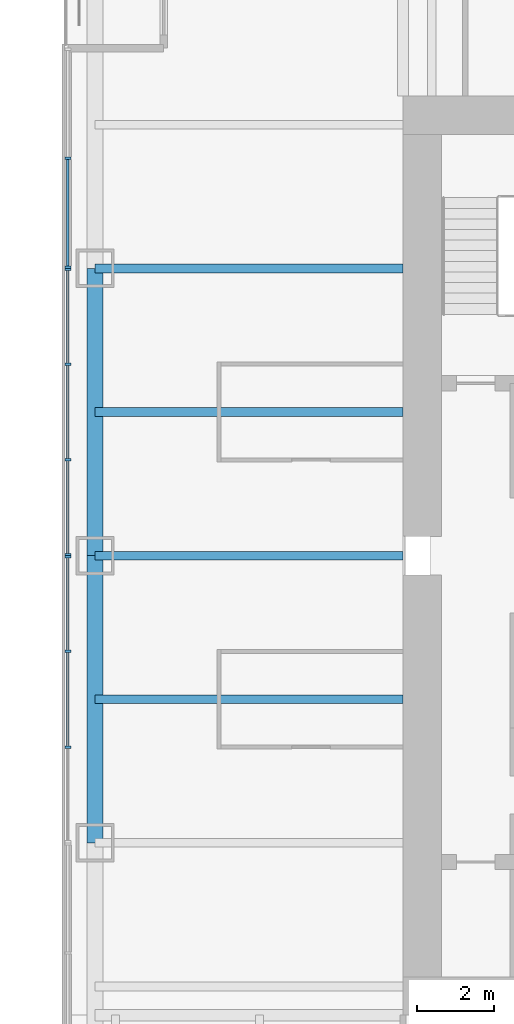
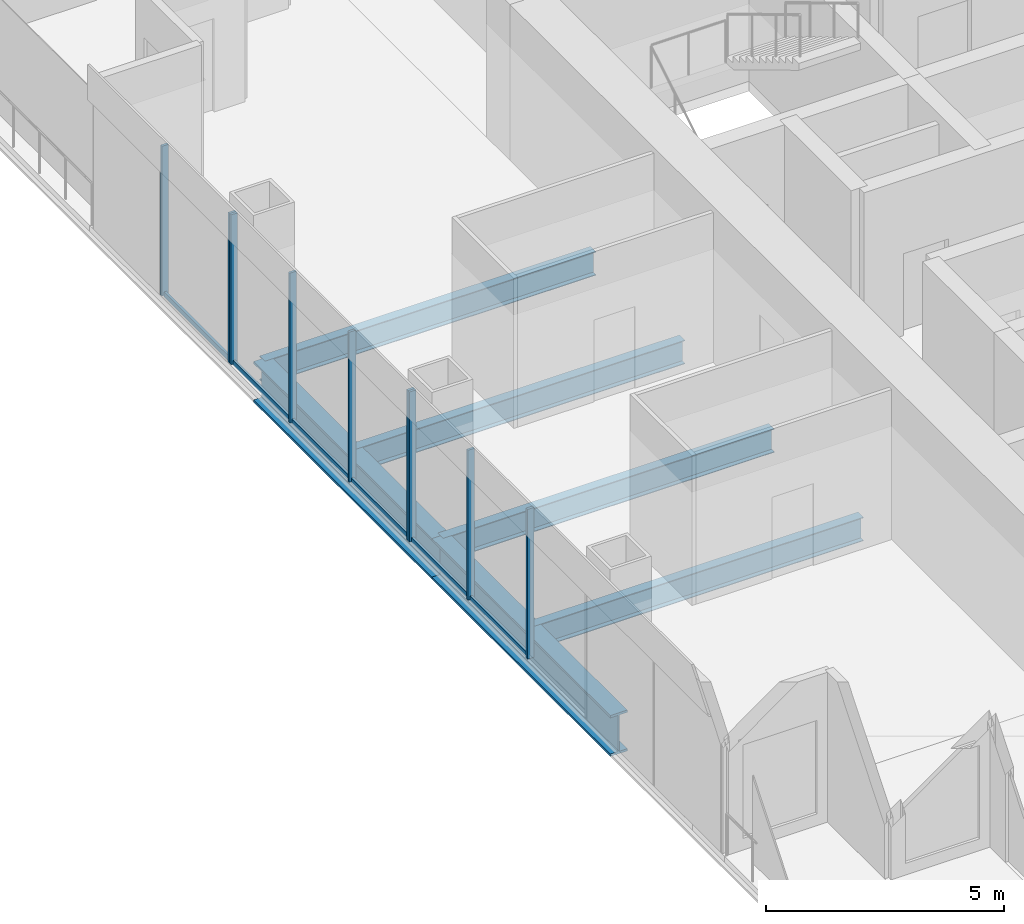
# One storey, part 4 of 14: 15 members, 6 beams, 3 elements without a shape of their own.
"""IFC4 building model written with IfcOpenShell, lengths in metres."""

from ifc_helpers import new_model, si_unit, direction, frame, origin, origin_2d, place, context, subcontext, project, spatial, rectangle, i_section, extrude, material, material_profile, profile_set, type_object, element, aggregate, save


model = new_model("IFC4")

# Units and contexts
model_context = context("Model", 3, precision=1e-05, world=origin(), true_north=direction((0.0, 1.0)))
body_context = subcontext(model_context, "Body", "Model", "MODEL_VIEW")
ifc_project = project(units=[si_unit("LENGTHUNIT", "METRE"), si_unit("AREAUNIT", "SQUARE_METRE"), si_unit("VOLUMEUNIT", "CUBIC_METRE"), si_unit("PLANEANGLEUNIT", "RADIAN"), si_unit("MASSUNIT", "GRAM", prefix="KILO")], contexts=[model_context])

# Site, building, storey
site_placement = place(None, origin())
site = spatial("IfcSite", under=ifc_project, at=site_placement, CompositionType="ELEMENT")
building_placement = place(site_placement, origin())
building = spatial("IfcBuilding", under=site, at=building_placement, Name="Tarangal Relay Tower", CompositionType="ELEMENT")
storey_placement = place(building_placement, frame((0.0, 0.0, 287.89990234375)))
storey = spatial("IfcBuildingStorey", under=building, at=storey_placement, Name="L63", CompositionType="ELEMENT", Elevation=287.89990234375)

# Beams
ifc_material_1 = material(Name="Steel ASTM A992", Category="steel")
ifc_material_profile_1 = material_profile(ifc_material_1, i_section(OverallWidth=0.41162109375, OverallDepth=1.049072265625, WebThickness=0.033935546875, FlangeThickness=0.059814453125, at=origin_2d()), Name="W40X431")
ifc_profile_set_1 = profile_set([ifc_material_profile_1], Name="Steel ASTM A992")
beam_type_1 = type_object("IfcBeamType", Name="Edge girder W40X431", PredefinedType="SPANDREL", material=ifc_profile_set_1)
for number, where, z_axis, x_axis, name in (
    (1, (-20.0400390625, -7.5, -0.67431640625), (0.0, 1.0, 0.0), (-1.0, 0.0, 0.0), "Edge girder EG1 W L63"),
    (2, (-20.0400390625, 0.0, -0.67431640625), (0.0, 1.0, 0.0), (-1.0, 0.0, 0.0), "Edge girder EG1 W L63"),
):
    element("IfcBeam", number, at=place(storey_placement, frame(where, z_axis=z_axis, x_axis=x_axis)), inside=storey, type_object=beam_type_1, Name=name, PredefinedType="SPANDREL", context=body_context, shape_type="SweptSolid", body=[
        extrude(i_section(OverallWidth=0.41162109375, OverallDepth=1.049072265625, WebThickness=0.033935546875, FlangeThickness=0.059814453125, at=origin_2d()), origin(), (0.0, 0.0, 1.0), 7.5),
    ])
ifc_material_profile_2 = material_profile(ifc_material_1, i_section(OverallWidth=0.228271484375, OverallDepth=0.607177734375, WebThickness=0.01123046875, FlangeThickness=0.017333984375, at=origin_2d()), Name="W24X76")
ifc_profile_set_2 = profile_set([ifc_material_profile_2], Name="Steel ASTM A992")
beam_type_2 = type_object("IfcBeamType", Name="Floor beam W24X76", PredefinedType="BEAM", material=ifc_profile_set_2)
for number, where, z_axis, x_axis, name in (
    (3, (-12.0, -3.75, -0.453369140625), (-1.0, 0.0, 0.0), (0.0, -1.0, 0.0), "Floor beam RB5 W L63"),
    (4, (-12.0, 0.0, -0.453369140625), (-1.0, 0.0, 0.0), (0.0, -1.0, 0.0), "Floor beam RB5 W L63"),
    (5, (-12.0, 3.75, -0.453369140625), (-1.0, 0.0, 0.0), (0.0, -1.0, 0.0), "Floor beam RB5 W L63"),
    (6, (-12.0, 7.5, -0.453369140625), (-1.0, 0.0, 0.0), (0.0, -1.0, 0.0), "Floor beam RB5 W L63"),
):
    element("IfcBeam", number, at=place(storey_placement, frame(where, z_axis=z_axis, x_axis=x_axis)), inside=storey, type_object=beam_type_2, Name=name, PredefinedType="BEAM", context=body_context, shape_type="SweptSolid", body=[
        extrude(i_section(OverallWidth=0.228271484375, OverallDepth=0.607177734375, WebThickness=0.01123046875, FlangeThickness=0.017333984375, at=origin_2d()), origin(), (0.0, 0.0, 1.0), 8.0400390625),
    ])

# Curtain wall, members
ifc_material_2 = material(Name="Unitised curtain wall, dark glass and black aluminium", Category="aluminium")
curtain_wall_type_1 = type_object("IfcCurtainWallType", Name="Curtain wall CW-B", PredefinedType="USERDEFINED", material=ifc_material_2)
curtain_wall_1_placement = place(storey_placement, origin())
curtain_wall_1 = element("IfcCurtainWall", 7, at=curtain_wall_1_placement, inside=storey, type_object=curtain_wall_type_1, Name="Curtain wall CW-B W facade L63", ObjectType="UNITISED CURTAIN WALL", PredefinedType="USERDEFINED")
ifc_material_3 = material(Name="Black anodised aluminium mullion", Category="aluminium")
ifc_material_profile_3 = material_profile(ifc_material_3, rectangle(XDim=0.159912109375, YDim=0.06005859375, at=origin_2d()), Name="CW-BM 60X160")
ifc_profile_set_3 = profile_set([ifc_material_profile_3], Name="Black anodised aluminium mullion")
member_type_1 = type_object("IfcMemberType", Name="Mullion CW-B 60 x 160", PredefinedType="MULLION", material=ifc_profile_set_3)
member_1_placement = place(storey_placement, frame((-20.75, -5.0, 0.0), z_axis=(0.0, 0.0, 1.0), x_axis=(-1.0, 0.0, 0.0)))
member_1 = element("IfcMember", 8, at=member_1_placement, type_object=member_type_1, Name="CW-B mullion 2", PredefinedType="MULLION", context=body_context, shape_type="SweptSolid", body=[
    extrude(rectangle(XDim=0.159912109375, YDim=0.06005859375, at=origin_2d()), origin(), (0.0, 0.0, 1.0), 3.85009765625),
])
member_2_placement = place(storey_placement, frame((-20.75, -2.5, 0.0), z_axis=(0.0, 0.0, 1.0), x_axis=(-1.0, 0.0, 0.0)))
member_2 = element("IfcMember", 9, at=member_2_placement, type_object=member_type_1, Name="CW-B mullion 3", PredefinedType="MULLION", context=body_context, shape_type="SweptSolid", body=[
    extrude(rectangle(XDim=0.159912109375, YDim=0.06005859375, at=origin_2d()), origin(), (0.0, 0.0, 1.0), 3.85009765625),
])
member_3_placement = place(storey_placement, frame((-20.75, -0.030029296875, 0.0), z_axis=(0.0, 0.0, 1.0), x_axis=(-1.0, 0.0, 0.0)))
member_3 = element("IfcMember", 10, at=member_3_placement, type_object=member_type_1, Name="CW-B mullion 4", PredefinedType="MULLION", context=body_context, shape_type="SweptSolid", body=[
    extrude(rectangle(XDim=0.159912109375, YDim=0.06005859375, at=origin_2d()), origin(), (0.0, 0.0, 1.0), 3.85009765625),
])

curtain_wall_2_placement = place(storey_placement, origin())
curtain_wall_2 = element("IfcCurtainWall", 11, at=curtain_wall_2_placement, inside=storey, type_object=curtain_wall_type_1, Name="Curtain wall CW-B W facade L63", ObjectType="UNITISED CURTAIN WALL", PredefinedType="USERDEFINED")
member_4_placement = place(storey_placement, frame((-20.75, 0.030029296875, 0.0), z_axis=(0.0, 0.0, 1.0), x_axis=(-1.0, 0.0, 0.0)))
member_4 = element("IfcMember", 12, at=member_4_placement, type_object=member_type_1, Name="CW-B mullion 1", PredefinedType="MULLION", context=body_context, shape_type="SweptSolid", body=[
    extrude(rectangle(XDim=0.159912109375, YDim=0.06005859375, at=origin_2d()), origin(), (0.0, 0.0, 1.0), 3.85009765625),
])
member_5_placement = place(storey_placement, frame((-20.75, 2.5, 0.0), z_axis=(0.0, 0.0, 1.0), x_axis=(-1.0, 0.0, 0.0)))
member_5 = element("IfcMember", 13, at=member_5_placement, type_object=member_type_1, Name="CW-B mullion 2", PredefinedType="MULLION", context=body_context, shape_type="SweptSolid", body=[
    extrude(rectangle(XDim=0.159912109375, YDim=0.06005859375, at=origin_2d()), origin(), (0.0, 0.0, 1.0), 3.85009765625),
])
member_6_placement = place(storey_placement, frame((-20.75, 5.0, 0.0), z_axis=(0.0, 0.0, 1.0), x_axis=(-1.0, 0.0, 0.0)))
member_6 = element("IfcMember", 14, at=member_6_placement, type_object=member_type_1, Name="CW-B mullion 3", PredefinedType="MULLION", context=body_context, shape_type="SweptSolid", body=[
    extrude(rectangle(XDim=0.159912109375, YDim=0.06005859375, at=origin_2d()), origin(), (0.0, 0.0, 1.0), 3.85009765625),
])
member_7_placement = place(storey_placement, frame((-20.75, 7.469970703125, 0.0), z_axis=(0.0, 0.0, 1.0), x_axis=(-1.0, 0.0, 0.0)))
member_7 = element("IfcMember", 15, at=member_7_placement, type_object=member_type_1, Name="CW-B mullion 4", PredefinedType="MULLION", context=body_context, shape_type="SweptSolid", body=[
    extrude(rectangle(XDim=0.159912109375, YDim=0.06005859375, at=origin_2d()), origin(), (0.0, 0.0, 1.0), 3.85009765625),
])

ifc_material_4 = material(Name="Unitised curtain wall frame, black aluminium, with metal clad infill walls", Category="aluminium")
curtain_wall_type_2 = type_object("IfcCurtainWallType", Name="Curtain wall CW-BO", PredefinedType="USERDEFINED", material=ifc_material_4)
curtain_wall_3_placement = place(storey_placement, origin())
curtain_wall_3 = element("IfcCurtainWall", 16, at=curtain_wall_3_placement, inside=storey, type_object=curtain_wall_type_2, Name="Curtain wall CW-BO W facade L63", ObjectType="UNITISED CURTAIN WALL", PredefinedType="USERDEFINED")
ifc_material_profile_4 = material_profile(ifc_material_3, rectangle(XDim=0.159912109375, YDim=0.06005859375, at=origin_2d()), Name="CW-BOM 60X160")
ifc_profile_set_4 = profile_set([ifc_material_profile_4], Name="Black anodised aluminium mullion")
member_type_2 = type_object("IfcMemberType", Name="Mullion CW-BO 60 x 160", PredefinedType="MULLION", material=ifc_profile_set_4)
member_8_placement = place(storey_placement, frame((-20.75, 7.530029296875, 0.0), z_axis=(0.0, 0.0, 1.0), x_axis=(-1.0, 0.0, 0.0)))
member_8 = element("IfcMember", 17, at=member_8_placement, type_object=member_type_2, Name="CW-BO mullion 1", PredefinedType="MULLION", context=body_context, shape_type="SweptSolid", body=[
    extrude(rectangle(XDim=0.159912109375, YDim=0.06005859375, at=origin_2d()), origin(), (0.0, 0.0, 1.0), 3.85009765625),
])
member_9_placement = place(storey_placement, frame((-20.75, 10.375, 0.0), z_axis=(0.0, 0.0, 1.0), x_axis=(-1.0, 0.0, 0.0)))
member_9 = element("IfcMember", 18, at=member_9_placement, type_object=member_type_2, Name="CW-BO mullion 2", PredefinedType="MULLION", context=body_context, shape_type="SweptSolid", body=[
    extrude(rectangle(XDim=0.159912109375, YDim=0.06005859375, at=origin_2d()), origin(), (0.0, 0.0, 1.0), 3.85009765625),
])

# Member
ifc_material_5 = material(Name="Black anodised aluminium transom", Category="aluminium")
ifc_material_profile_5 = material_profile(ifc_material_5, rectangle(XDim=0.06005859375, YDim=0.1298828125, at=origin_2d()), Name="CW-BT 60X130")
ifc_profile_set_5 = profile_set([ifc_material_profile_5], Name="Black anodised aluminium transom")
member_type_3 = type_object("IfcMemberType", Name="Transom CW-B 60 x 130", PredefinedType="USERDEFINED", material=ifc_profile_set_5)
member_10_placement = place(storey_placement, frame((-20.75, -4.969970703125, 0.030029296875), z_axis=(0.0, 1.0, 0.0), x_axis=(-1.0, 0.0, 0.0)))
member_10 = element("IfcMember", 19, at=member_10_placement, type_object=member_type_3, Name="CW-B transom 2.1", ObjectType="TRANSOM", PredefinedType="USERDEFINED", context=body_context, shape_type="SweptSolid", body=[
    extrude(rectangle(XDim=0.06005859375, YDim=0.1298828125, at=origin_2d()), origin(), (0.0, 0.0, 1.0), 2.43994140625),
])

member_11_placement = place(storey_placement, frame((-20.75, -2.469970703125, 0.030029296875), z_axis=(0.0, 1.0, 0.0), x_axis=(-1.0, 0.0, 0.0)))
member_11 = element("IfcMember", 20, at=member_11_placement, type_object=member_type_3, Name="CW-B transom 3.1", ObjectType="TRANSOM", PredefinedType="USERDEFINED", context=body_context, shape_type="SweptSolid", body=[
    extrude(rectangle(XDim=0.06005859375, YDim=0.1298828125, at=origin_2d()), origin(), (0.0, 0.0, 1.0), 2.409912109375),
])

aggregate(curtain_wall_1, [member_1, member_2, member_3, member_10, member_11])

member_12_placement = place(storey_placement, frame((-20.75, 0.06005859375, 0.030029296875), z_axis=(0.0, 1.0, 0.0), x_axis=(-1.0, 0.0, 0.0)))
member_12 = element("IfcMember", 21, at=member_12_placement, type_object=member_type_3, Name="CW-B transom 1.1", ObjectType="TRANSOM", PredefinedType="USERDEFINED", context=body_context, shape_type="SweptSolid", body=[
    extrude(rectangle(XDim=0.06005859375, YDim=0.1298828125, at=origin_2d()), origin(), (0.0, 0.0, 1.0), 2.409912109375),
])

member_13_placement = place(storey_placement, frame((-20.75, 2.530029296875, 0.030029296875), z_axis=(0.0, 1.0, 0.0), x_axis=(-1.0, 0.0, 0.0)))
member_13 = element("IfcMember", 22, at=member_13_placement, type_object=member_type_3, Name="CW-B transom 2.1", ObjectType="TRANSOM", PredefinedType="USERDEFINED", context=body_context, shape_type="SweptSolid", body=[
    extrude(rectangle(XDim=0.06005859375, YDim=0.1298828125, at=origin_2d()), origin(), (0.0, 0.0, 1.0), 2.43994140625),
])

member_14_placement = place(storey_placement, frame((-20.75, 5.030029296875, 0.030029296875), z_axis=(0.0, 1.0, 0.0), x_axis=(-1.0, 0.0, 0.0)))
member_14 = element("IfcMember", 23, at=member_14_placement, type_object=member_type_3, Name="CW-B transom 3.1", ObjectType="TRANSOM", PredefinedType="USERDEFINED", context=body_context, shape_type="SweptSolid", body=[
    extrude(rectangle(XDim=0.06005859375, YDim=0.1298828125, at=origin_2d()), origin(), (0.0, 0.0, 1.0), 2.409912109375),
])

aggregate(curtain_wall_2, [member_4, member_5, member_6, member_7, member_12, member_13, member_14])

ifc_material_profile_6 = material_profile(ifc_material_5, rectangle(XDim=0.06005859375, YDim=0.1298828125, at=origin_2d()), Name="CW-BOT 60X130")
ifc_profile_set_6 = profile_set([ifc_material_profile_6], Name="Black anodised aluminium transom")
member_type_4 = type_object("IfcMemberType", Name="Transom CW-BO 60 x 130", PredefinedType="USERDEFINED", material=ifc_profile_set_6)
member_15_placement = place(storey_placement, frame((-20.75, 7.56005859375, 0.030029296875), z_axis=(0.0, 1.0, 0.0), x_axis=(-1.0, 0.0, 0.0)))
member_15 = element("IfcMember", 24, at=member_15_placement, type_object=member_type_4, Name="CW-BO transom 1.1", ObjectType="TRANSOM", PredefinedType="USERDEFINED", context=body_context, shape_type="SweptSolid", body=[
    extrude(rectangle(XDim=0.06005859375, YDim=0.1298828125, at=origin_2d()), origin(), (0.0, 0.0, 1.0), 2.784912109375),
])

aggregate(curtain_wall_3, [member_8, member_9, member_15])

save(model, "model.ifc")
